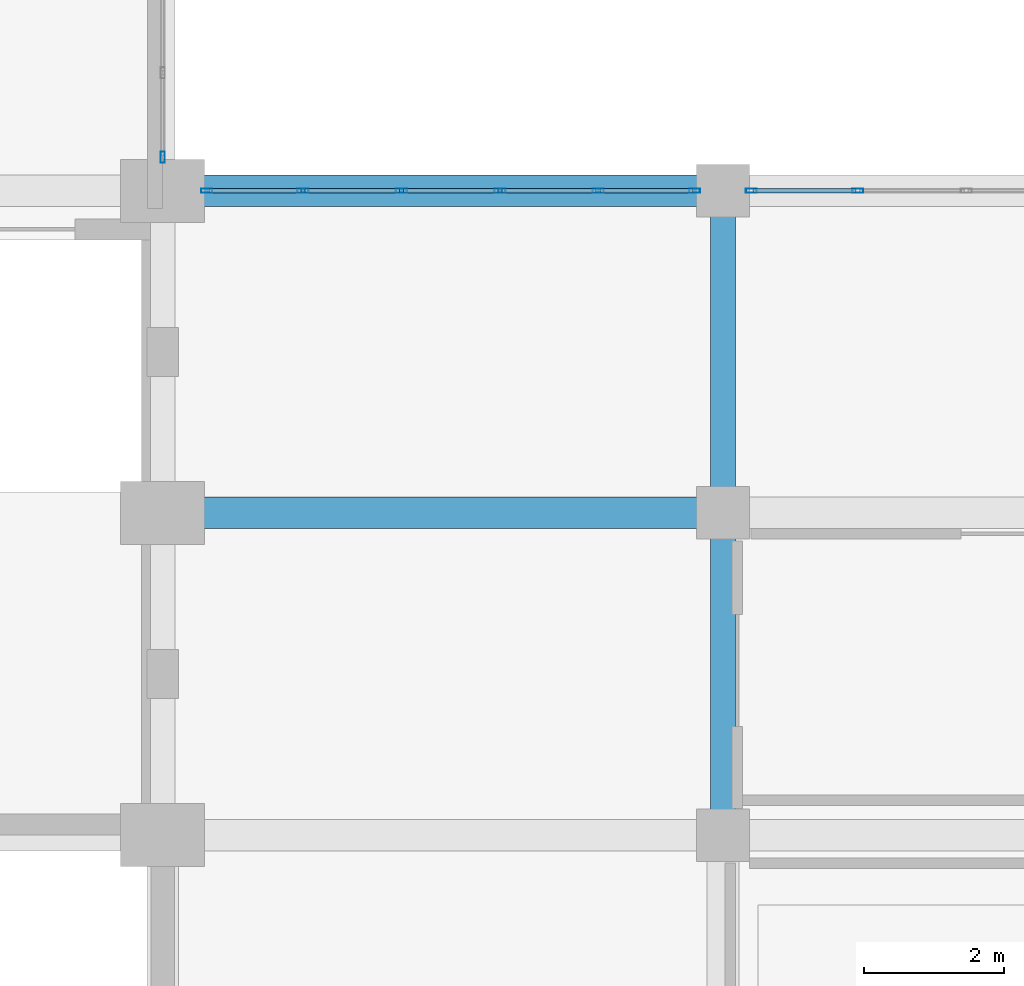
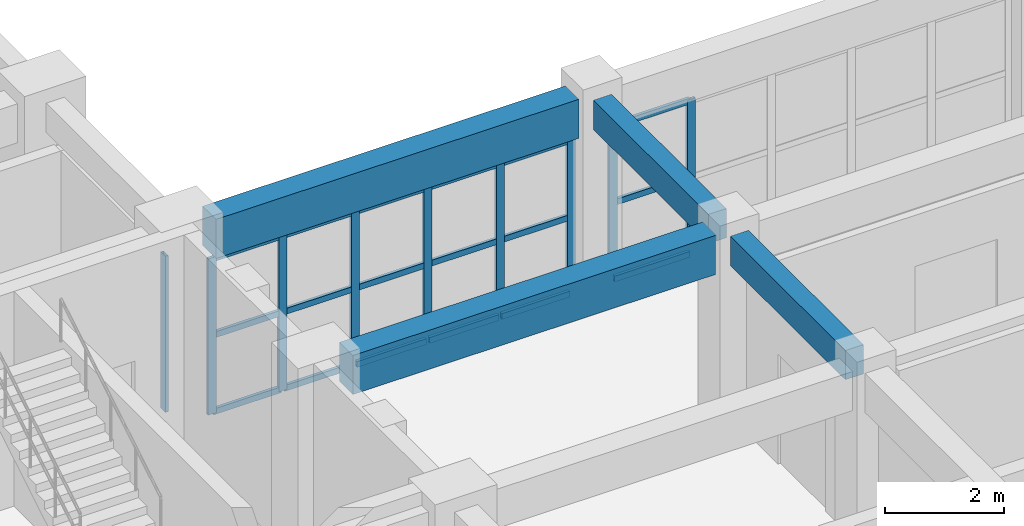
# One storey, part 50 of 116: 27 members, 4 beams, 3 elements without a shape of their own.
"""IFC4 building model written with IfcOpenShell, lengths in metres."""

import ifcopenshell
import ifcopenshell.guid

model = None  # the IFC model being written
_history = None  # IfcOwnerHistory: only IFC2X3 demands one
_inside = {}  # id of a spatial element -> (the spatial element, [elements in it])
_under = {}  # id of a project, library or spatial element -> (it, [spatial elements below it])
_declared = {}  # id of a project -> (the project, [libraries it declares])
_typed = {}  # id of a type object -> (the type object, [elements of that type])
_made_of = {}  # id of a material, layer set ... -> (it, [elements and type objects made of it])


def new_model(schema):
    """Start an empty IFC model of exactly this schema.

    Asked for "IFC4X3", IfcOpenShell would pick the latest addendum, in which some entities
    have other attributes; the version numbers below select the first issue.
    IFC2X3 requires an IfcOwnerHistory on every rooted entity: one is made here for all.
    """
    global model, _history
    if schema == "IFC4X3":
        model = ifcopenshell.file(schema_version=(4, 3, 0, 0))
    else:
        model = ifcopenshell.file(schema=schema)
    _inside.clear()
    _under.clear()
    _declared.clear()
    _typed.clear()
    _made_of.clear()
    _history = None
    if model.schema == "IFC2X3":
        org = make("IfcOrganization", Name="unknown")
        user = make(
            "IfcPersonAndOrganization",
            ThePerson=make("IfcPerson", FamilyName="unknown"),
            TheOrganization=org,
        )
        app = make(
            "IfcApplication",
            ApplicationDeveloper=org,
            Version="unknown",
            ApplicationFullName="unknown",
            ApplicationIdentifier="unknown",
        )
        _history = make(
            "IfcOwnerHistory",
            OwningUser=user,
            OwningApplication=app,
            ChangeAction="ADDED",
            CreationDate=0,
        )
    return model


def make(cls, **values):
    """One entity of the class cls with the attributes given. An attribute that is None is left unset."""
    return model.create_entity(
        cls, **{name: value for name, value in values.items() if value is not None}
    )


def rooted(cls, **values):
    """An entity with a GlobalId (a new one), such as an element, a storey or a relation."""
    return make(cls, GlobalId=ifcopenshell.guid.new(), OwnerHistory=_history, **values)


def si_unit(unit_type, name, prefix=None):
    """IfcSIUnit, for example si_unit("LENGTHUNIT", "METRE", prefix="MILLI")."""
    return make("IfcSIUnit", UnitType=unit_type, Prefix=prefix, Name=name)


def assignment(units):
    """IfcUnitAssignment: the units of a project."""
    return None if units is None else make("IfcUnitAssignment", Units=units)


def point(xyz):
    """IfcCartesianPoint."""
    return None if xyz is None else make("IfcCartesianPoint", Coordinates=xyz)


def direction(xyz):
    """IfcDirection."""
    return None if xyz is None else make("IfcDirection", DirectionRatios=xyz)


def frame(location, z_axis=None, x_axis=None):
    """IfcAxis2Placement3D, a coordinate frame: its origin and axes. An axis left out is left unset."""
    return make(
        "IfcAxis2Placement3D",
        Location=point(location),
        Axis=direction(z_axis),
        RefDirection=direction(x_axis),
    )


def frame_2d(location, x_axis=None):
    """IfcAxis2Placement2D, a coordinate frame in the plane: its origin and x axis."""
    return make(
        "IfcAxis2Placement2D", Location=point(location), RefDirection=direction(x_axis)
    )


def origin():
    """The frame at (0, 0, 0) with its axes left unset."""
    return frame((0.0, 0.0, 0.0))


def origin_2d():
    """The frame at (0, 0) in the plane with its x axis left unset."""
    return frame_2d((0.0, 0.0))


def place(relative_to, where):
    """IfcLocalPlacement: puts the frame where relative to a parent placement (None: the world)."""
    return make(
        "IfcLocalPlacement", PlacementRelTo=relative_to, RelativePlacement=where
    )


def context(
    kind, dimensions, precision=None, world=None, true_north=None, identifier=None
):
    """IfcGeometricRepresentationContext, for example the 3D "Model" context."""
    return make(
        "IfcGeometricRepresentationContext",
        ContextIdentifier=identifier,
        ContextType=kind,
        CoordinateSpaceDimension=dimensions,
        Precision=precision,
        WorldCoordinateSystem=world,
        TrueNorth=true_north,
    )


def subcontext(parent, identifier, kind, view, scale=None):
    """IfcGeometricRepresentationSubContext, for example "Body" below "Model"."""
    return make(
        "IfcGeometricRepresentationSubContext",
        ContextIdentifier=identifier,
        ContextType=kind,
        ParentContext=parent,
        TargetScale=scale,
        TargetView=view,
    )


def project(units=None, contexts=None):
    """IfcProject with its units and contexts."""
    return rooted(
        "IfcProject",
        Name="project",
        RepresentationContexts=contexts,
        UnitsInContext=assignment(units),
    )


def spatial(cls, under=None, at=None, **own):
    """A site, building, storey or space (cls), placed at a placement, below another one or the project."""
    s = rooted(cls, ObjectPlacement=at, **own)
    if under is not None:
        _under.setdefault(under.id(), (under, []))[1].append(s)
    return s


def profile(cls, at=None, kind="AREA", **sizes):
    """A parametric profile (cls). Its sizes go by their IFC names, for example OverallWidth=200.0."""
    return make(cls, ProfileType=kind, Position=at, **sizes)


def rectangle(**sizes):
    """IfcRectangleProfileDef."""
    return profile("IfcRectangleProfileDef", **sizes)


def hollow_rectangle(**sizes):
    """IfcRectangleHollowProfileDef."""
    return profile("IfcRectangleHollowProfileDef", **sizes)


def extrude(swept, where, along, depth):
    """IfcExtrudedAreaSolid: the profile swept, set in the frame where, extruded along a direction by depth."""
    return make(
        "IfcExtrudedAreaSolid",
        SweptArea=swept,
        Position=where,
        ExtrudedDirection=direction(along),
        Depth=depth,
    )


def shape(context_of_items, identifier, shape_type, items):
    """IfcShapeRepresentation: the items that make up one representation, for example the "Body"."""
    return make(
        "IfcShapeRepresentation",
        ContextOfItems=context_of_items,
        RepresentationIdentifier=identifier,
        RepresentationType=shape_type,
        Items=items,
    )


def material(Name=None, Category=None):
    """IfcMaterial."""
    return make("IfcMaterial", Name=Name, Category=Category)


def layer(
    of_material, thickness, ventilated=None, Name=None, Category=None, Priority=None
):
    """IfcMaterialLayer: one layer of a wall or slab, of a material (None: an air gap)."""
    return make(
        "IfcMaterialLayer",
        Material=of_material,
        LayerThickness=thickness,
        IsVentilated=ventilated,
        Name=Name,
        Category=Category,
        Priority=Priority,
    )


def layer_set(layers, Name=None):
    """IfcMaterialLayerSet."""
    return make("IfcMaterialLayerSet", MaterialLayers=layers, LayerSetName=Name)


def material_profile(
    of_material, cross_section, Name=None, Category=None, Priority=None
):
    """IfcMaterialProfile: a cross section and its material."""
    return make(
        "IfcMaterialProfile",
        Name=Name,
        Material=of_material,
        Profile=cross_section,
        Priority=Priority,
        Category=Category,
    )


def profile_set(profiles, Name=None, composite=None):
    """IfcMaterialProfileSet."""
    return make(
        "IfcMaterialProfileSet",
        Name=Name,
        MaterialProfiles=profiles,
        CompositeProfile=composite,
    )


def made_of(thing, what):
    """Note that an element or type object is made of a material, layer set ...; save() writes the relation."""
    if what is not None:
        _made_of.setdefault(what.id(), (what, []))[1].append(thing)
    return thing


def type_object(cls, material=None, **own):
    """A type object (cls), such as IfcWallType, which elements share."""
    return made_of(rooted(cls, **own), material)


def element(
    cls,
    number,
    at=None,
    inside=None,
    cuts=None,
    type_object=None,
    material=None,
    context=None,
    identifier="Body",
    shape_type=None,
    held_by="IfcProductDefinitionShape",
    body=None,
    shapes=None,
    **own,
):
    """One element of the class cls, such as IfcWall. Its Tag is "e" and its number.

    at: its placement. inside: the storey or other place that contains it. cuts: it is an
    opening in that element (IfcRelVoidsElement). A single representation is given by context,
    identifier, shape_type and body (its items); several are given by shapes. held_by: the class
    of the entity that holds the representations. save() writes the other relations.
    """
    e = rooted(cls, Tag="e%d" % number, ObjectPlacement=at, **own)
    if body is not None:
        shapes = [shape(context, identifier, shape_type, body)]
    if shapes is not None:
        e.Representation = make(held_by, Representations=shapes)
    if inside is not None:
        _inside.setdefault(inside.id(), (inside, []))[1].append(e)
    if cuts is not None:
        rooted(
            "IfcRelVoidsElement", RelatingBuildingElement=cuts, RelatedOpeningElement=e
        )
    if type_object is not None:
        _typed.setdefault(type_object.id(), (type_object, []))[1].append(e)
    return made_of(e, material)


def aggregate(whole, parts):
    """IfcRelAggregates: a whole, such as a stair, and the parts it consists of."""
    return rooted("IfcRelAggregates", RelatingObject=whole, RelatedObjects=parts)


def save(model, path):
    """Write the relations noted so far, then the file.

    IfcRelAggregates (storeys below a building ...), IfcRelContainedInSpatialStructure (elements
    in a storey), IfcRelDefinesByType, IfcRelAssociatesMaterial and IfcRelDeclares: one each for
    every whole, place, type object, material and project.
    """
    for whole, parts in _under.values():
        aggregate(whole, parts)
    for where, things in _inside.values():
        rooted(
            "IfcRelContainedInSpatialStructure",
            RelatedElements=things,
            RelatingStructure=where,
        )
    for kind, things in _typed.values():
        rooted("IfcRelDefinesByType", RelatedObjects=things, RelatingType=kind)
    for what, things in _made_of.values():
        rooted("IfcRelAssociatesMaterial", RelatedObjects=things, RelatingMaterial=what)
    for by, libraries in _declared.values():
        rooted("IfcRelDeclares", RelatingContext=by, RelatedDefinitions=libraries)
    model.write(path)


model = new_model("IFC4")

# Units and contexts
model_context = context("Model", 3, precision=1e-05, world=origin(), true_north=direction((0.0, 1.0)))
body_context = subcontext(model_context, "Body", "Model", "MODEL_VIEW")
ifc_project = project(units=[si_unit("LENGTHUNIT", "METRE"), si_unit("AREAUNIT", "SQUARE_METRE"), si_unit("VOLUMEUNIT", "CUBIC_METRE"), si_unit("PLANEANGLEUNIT", "RADIAN"), si_unit("MASSUNIT", "GRAM", prefix="KILO")], contexts=[model_context])

# Site, building, storey
site_placement = place(None, origin())
site = spatial("IfcSite", under=ifc_project, at=site_placement, CompositionType="ELEMENT")
building_placement = place(site_placement, origin())
building = spatial("IfcBuilding", under=site, at=building_placement, Name="Muzn Square Opera House", CompositionType="ELEMENT")
storey_placement = place(building_placement, frame((0.0, 0.0, 5.39990234375)))
storey = spatial("IfcBuildingStorey", under=building, at=storey_placement, Name="L01", CompositionType="ELEMENT", Elevation=5.39990234375)

# Curtain wall, member
ifc_material_1 = material(Name="Low-E laminated acoustic double glazing", Category="glass")
ifc_layer_1 = layer(ifc_material_1, 0.159912109375, Name="Low-E laminated acoustic double glazing", Category="glass")
ifc_layer_set_1 = layer_set([ifc_layer_1], Name="Low-E laminated acoustic double glazing")
curtain_wall_type_1 = type_object("IfcCurtainWallType", Name="Glazed Curtain Wall EastVaultCourt 3700x3200", PredefinedType="USERDEFINED", material=ifc_layer_set_1)
curtain_wall_1_placement = place(storey_placement, origin())
curtain_wall_1 = element("IfcCurtainWall", 1, at=curtain_wall_1_placement, inside=storey, type_object=curtain_wall_type_1, Name="Glazed Curtain Wall CW-L01-040", ObjectType="GLAZED CURTAIN WALL", PredefinedType="USERDEFINED")
ifc_material_2 = material(Name="Anodised bronze aluminium 6063-T6", Category="metal")
ifc_material_profile_1 = material_profile(ifc_material_2, hollow_rectangle(XDim=0.06005859375, YDim=0.159912109375, WallThickness=0.00390625, at=origin_2d()), Name="ALU 160x60x4", Category="metal")
ifc_profile_set_1 = profile_set([ifc_material_profile_1], Name="Anodised bronze aluminium 6063-T6")
member_type_1 = type_object("IfcMemberType", Name="Curtain Wall Mullion 160x60", PredefinedType="MULLION", material=ifc_profile_set_1)
member_1_placement = place(storey_placement, frame((133.0, 31.679931640625, 0.0), z_axis=(0.0, 0.0, 1.0), x_axis=(-1.0, 0.0, 0.0)))
member_1 = element("IfcMember", 2, at=member_1_placement, type_object=member_type_1, Name="CW-EVC-37x32 mullion 1", PredefinedType="MULLION", context=body_context, shape_type="SweptSolid", body=[
    extrude(hollow_rectangle(XDim=0.06005859375, YDim=0.159912109375, WallThickness=0.00390625, at=origin_2d()), origin(), (0.0, 0.0, 1.0), 3.2001953125),
])
aggregate(curtain_wall_1, [member_1])

# Curtain wall, members
ifc_layer_2 = layer(ifc_material_1, 0.159912109375, Name="Low-E laminated acoustic double glazing", Category="glass")
ifc_layer_set_2 = layer_set([ifc_layer_2], Name="Low-E laminated acoustic double glazing")
curtain_wall_type_2 = type_object("IfcCurtainWallType", Name="Glazed Curtain Wall EastCloisterS 7025x3200", PredefinedType="USERDEFINED", material=ifc_layer_set_2)
curtain_wall_2_placement = place(storey_placement, origin())
curtain_wall_2 = element("IfcCurtainWall", 3, at=curtain_wall_2_placement, inside=storey, type_object=curtain_wall_type_2, Name="Glazed Curtain Wall CW-L01-087", ObjectType="GLAZED CURTAIN WALL", PredefinedType="USERDEFINED")
member_2_placement = place(storey_placement, frame((133.6298828125, 31.199951171875, 0.0), z_axis=(0.0, 0.0, 1.0), x_axis=(0.0, 1.0, 0.0)))
member_2 = element("IfcMember", 4, at=member_2_placement, type_object=member_type_1, Name="CW-ECS-70x32 mullion 1", PredefinedType="MULLION", context=body_context, shape_type="SweptSolid", body=[
    extrude(hollow_rectangle(XDim=0.06005859375, YDim=0.159912109375, WallThickness=0.00390625, at=origin_2d()), origin(), (0.0, 0.0, 1.0), 3.2001953125),
])
member_3_placement = place(storey_placement, frame((135.0048828125, 31.199951171875, 0.0), z_axis=(0.0, 0.0, 1.0), x_axis=(0.0, 1.0, 0.0)))
member_3 = element("IfcMember", 5, at=member_3_placement, type_object=member_type_1, Name="CW-ECS-70x32 mullion 2", PredefinedType="MULLION", context=body_context, shape_type="SweptSolid", body=[
    extrude(hollow_rectangle(XDim=0.06005859375, YDim=0.159912109375, WallThickness=0.00390625, at=origin_2d()), origin(), (0.0, 0.0, 1.0), 3.2001953125),
])
member_4_placement = place(storey_placement, frame((136.409912109375, 31.199951171875, 0.0), z_axis=(0.0, 0.0, 1.0), x_axis=(0.0, 1.0, 0.0)))
member_4 = element("IfcMember", 6, at=member_4_placement, type_object=member_type_1, Name="CW-ECS-70x32 mullion 3", PredefinedType="MULLION", context=body_context, shape_type="SweptSolid", body=[
    extrude(hollow_rectangle(XDim=0.06005859375, YDim=0.159912109375, WallThickness=0.00390625, at=origin_2d()), origin(), (0.0, 0.0, 1.0), 3.2001953125),
])
member_5_placement = place(storey_placement, frame((137.81494140625, 31.199951171875, 0.0), z_axis=(0.0, 0.0, 1.0), x_axis=(0.0, 1.0, 0.0)))
member_5 = element("IfcMember", 7, at=member_5_placement, type_object=member_type_1, Name="CW-ECS-70x32 mullion 4", PredefinedType="MULLION", context=body_context, shape_type="SweptSolid", body=[
    extrude(hollow_rectangle(XDim=0.06005859375, YDim=0.159912109375, WallThickness=0.00390625, at=origin_2d()), origin(), (0.0, 0.0, 1.0), 3.2001953125),
])
member_6_placement = place(storey_placement, frame((139.219970703125, 31.199951171875, 0.0), z_axis=(0.0, 0.0, 1.0), x_axis=(0.0, 1.0, 0.0)))
member_6 = element("IfcMember", 8, at=member_6_placement, type_object=member_type_1, Name="CW-ECS-70x32 mullion 5", PredefinedType="MULLION", context=body_context, shape_type="SweptSolid", body=[
    extrude(hollow_rectangle(XDim=0.06005859375, YDim=0.159912109375, WallThickness=0.00390625, at=origin_2d()), origin(), (0.0, 0.0, 1.0), 3.2001953125),
])
member_7_placement = place(storey_placement, frame((140.594970703125, 31.199951171875, 0.0), z_axis=(0.0, 0.0, 1.0), x_axis=(0.0, 1.0, 0.0)))
member_7 = element("IfcMember", 9, at=member_7_placement, type_object=member_type_1, Name="CW-ECS-70x32 mullion 6", PredefinedType="MULLION", context=body_context, shape_type="SweptSolid", body=[
    extrude(hollow_rectangle(XDim=0.06005859375, YDim=0.159912109375, WallThickness=0.00390625, at=origin_2d()), origin(), (0.0, 0.0, 1.0), 3.2001953125),
])

ifc_layer_3 = layer(ifc_material_1, 0.159912109375, Name="Low-E laminated acoustic double glazing", Category="glass")
ifc_layer_set_3 = layer_set([ifc_layer_3], Name="Low-E laminated acoustic double glazing")
curtain_wall_type_3 = type_object("IfcCurtainWallType", Name="Glazed Curtain Wall EastCloisterS 7750x3200", PredefinedType="USERDEFINED", material=ifc_layer_set_3)
curtain_wall_3_placement = place(storey_placement, origin())
curtain_wall_3 = element("IfcCurtainWall", 10, at=curtain_wall_3_placement, inside=storey, type_object=curtain_wall_type_3, Name="Glazed Curtain Wall CW-L01-089", ObjectType="GLAZED CURTAIN WALL", PredefinedType="USERDEFINED")
member_8_placement = place(storey_placement, frame((141.405029296875, 31.199951171875, 0.0), z_axis=(0.0, 0.0, 1.0), x_axis=(0.0, 1.0, 0.0)))
member_8 = element("IfcMember", 11, at=member_8_placement, type_object=member_type_1, Name="CW-ECS-77x32 mullion 1", PredefinedType="MULLION", context=body_context, shape_type="SweptSolid", body=[
    extrude(hollow_rectangle(XDim=0.06005859375, YDim=0.159912109375, WallThickness=0.00390625, at=origin_2d()), origin(), (0.0, 0.0, 1.0), 3.2001953125),
])
member_9_placement = place(storey_placement, frame((142.925048828125, 31.199951171875, 0.0), z_axis=(0.0, 0.0, 1.0), x_axis=(0.0, 1.0, 0.0)))
member_9 = element("IfcMember", 12, at=member_9_placement, type_object=member_type_1, Name="CW-ECS-77x32 mullion 2", PredefinedType="MULLION", context=body_context, shape_type="SweptSolid", body=[
    extrude(hollow_rectangle(XDim=0.06005859375, YDim=0.159912109375, WallThickness=0.00390625, at=origin_2d()), origin(), (0.0, 0.0, 1.0), 3.2001953125),
])

# Member
ifc_material_profile_2 = material_profile(ifc_material_2, hollow_rectangle(XDim=0.06005859375, YDim=0.1201171875, WallThickness=0.00390625, at=origin_2d()), Name="ALU 120x60x4", Category="metal")
ifc_profile_set_2 = profile_set([ifc_material_profile_2], Name="Anodised bronze aluminium 6063-T6")
member_type_2 = type_object("IfcMemberType", Name="Curtain Wall Transom 120x60", PredefinedType="USERDEFINED", material=ifc_profile_set_2)
member_10_placement = place(storey_placement, frame((133.659912109375, 31.199951171875, 0.030029296875), z_axis=(1.0, 0.0, 0.0), x_axis=(0.0, 1.0, 0.0)))
member_10 = element("IfcMember", 13, at=member_10_placement, type_object=member_type_2, Name="CW-ECS-70x32 transom 1.1", ObjectType="TRANSOM", PredefinedType="USERDEFINED", context=body_context, shape_type="SweptSolid", body=[
    extrude(hollow_rectangle(XDim=0.06005859375, YDim=0.1201171875, WallThickness=0.00390625, at=origin_2d()), origin(), (0.0, 0.0, 1.0), 1.315185546875),
])

member_11_placement = place(storey_placement, frame((133.659912109375, 31.199951171875, 1.60009765625), z_axis=(1.0, 0.0, 0.0), x_axis=(0.0, 1.0, 0.0)))
member_11 = element("IfcMember", 14, at=member_11_placement, type_object=member_type_2, Name="CW-ECS-70x32 transom 1.2", ObjectType="TRANSOM", PredefinedType="USERDEFINED", context=body_context, shape_type="SweptSolid", body=[
    extrude(hollow_rectangle(XDim=0.06005859375, YDim=0.1201171875, WallThickness=0.00390625, at=origin_2d()), origin(), (0.0, 0.0, 1.0), 1.315185546875),
])

member_12_placement = place(storey_placement, frame((133.659912109375, 31.199951171875, 3.170166015625), z_axis=(1.0, 0.0, 0.0), x_axis=(0.0, 1.0, 0.0)))
member_12 = element("IfcMember", 15, at=member_12_placement, type_object=member_type_2, Name="CW-ECS-70x32 transom 1.3", ObjectType="TRANSOM", PredefinedType="USERDEFINED", context=body_context, shape_type="SweptSolid", body=[
    extrude(hollow_rectangle(XDim=0.06005859375, YDim=0.1201171875, WallThickness=0.00390625, at=origin_2d()), origin(), (0.0, 0.0, 1.0), 1.315185546875),
])

member_13_placement = place(storey_placement, frame((135.034912109375, 31.199951171875, 0.030029296875), z_axis=(1.0, 0.0, 0.0), x_axis=(0.0, 1.0, 0.0)))
member_13 = element("IfcMember", 16, at=member_13_placement, type_object=member_type_2, Name="CW-ECS-70x32 transom 2.1", ObjectType="TRANSOM", PredefinedType="USERDEFINED", context=body_context, shape_type="SweptSolid", body=[
    extrude(hollow_rectangle(XDim=0.06005859375, YDim=0.1201171875, WallThickness=0.00390625, at=origin_2d()), origin(), (0.0, 0.0, 1.0), 1.344970703125),
])

member_14_placement = place(storey_placement, frame((135.034912109375, 31.199951171875, 1.60009765625), z_axis=(1.0, 0.0, 0.0), x_axis=(0.0, 1.0, 0.0)))
member_14 = element("IfcMember", 17, at=member_14_placement, type_object=member_type_2, Name="CW-ECS-70x32 transom 2.2", ObjectType="TRANSOM", PredefinedType="USERDEFINED", context=body_context, shape_type="SweptSolid", body=[
    extrude(hollow_rectangle(XDim=0.06005859375, YDim=0.1201171875, WallThickness=0.00390625, at=origin_2d()), origin(), (0.0, 0.0, 1.0), 1.344970703125),
])

member_15_placement = place(storey_placement, frame((135.034912109375, 31.199951171875, 3.170166015625), z_axis=(1.0, 0.0, 0.0), x_axis=(0.0, 1.0, 0.0)))
member_15 = element("IfcMember", 18, at=member_15_placement, type_object=member_type_2, Name="CW-ECS-70x32 transom 2.3", ObjectType="TRANSOM", PredefinedType="USERDEFINED", context=body_context, shape_type="SweptSolid", body=[
    extrude(hollow_rectangle(XDim=0.06005859375, YDim=0.1201171875, WallThickness=0.00390625, at=origin_2d()), origin(), (0.0, 0.0, 1.0), 1.344970703125),
])

member_16_placement = place(storey_placement, frame((136.43994140625, 31.199951171875, 0.030029296875), z_axis=(1.0, 0.0, 0.0), x_axis=(0.0, 1.0, 0.0)))
member_16 = element("IfcMember", 19, at=member_16_placement, type_object=member_type_2, Name="CW-ECS-70x32 transom 3.1", ObjectType="TRANSOM", PredefinedType="USERDEFINED", context=body_context, shape_type="SweptSolid", body=[
    extrude(hollow_rectangle(XDim=0.06005859375, YDim=0.1201171875, WallThickness=0.00390625, at=origin_2d()), origin(), (0.0, 0.0, 1.0), 1.344970703125),
])

member_17_placement = place(storey_placement, frame((136.43994140625, 31.199951171875, 1.60009765625), z_axis=(1.0, 0.0, 0.0), x_axis=(0.0, 1.0, 0.0)))
member_17 = element("IfcMember", 20, at=member_17_placement, type_object=member_type_2, Name="CW-ECS-70x32 transom 3.2", ObjectType="TRANSOM", PredefinedType="USERDEFINED", context=body_context, shape_type="SweptSolid", body=[
    extrude(hollow_rectangle(XDim=0.06005859375, YDim=0.1201171875, WallThickness=0.00390625, at=origin_2d()), origin(), (0.0, 0.0, 1.0), 1.344970703125),
])

member_18_placement = place(storey_placement, frame((136.43994140625, 31.199951171875, 3.170166015625), z_axis=(1.0, 0.0, 0.0), x_axis=(0.0, 1.0, 0.0)))
member_18 = element("IfcMember", 21, at=member_18_placement, type_object=member_type_2, Name="CW-ECS-70x32 transom 3.3", ObjectType="TRANSOM", PredefinedType="USERDEFINED", context=body_context, shape_type="SweptSolid", body=[
    extrude(hollow_rectangle(XDim=0.06005859375, YDim=0.1201171875, WallThickness=0.00390625, at=origin_2d()), origin(), (0.0, 0.0, 1.0), 1.344970703125),
])

member_19_placement = place(storey_placement, frame((137.844970703125, 31.199951171875, 0.030029296875), z_axis=(1.0, 0.0, 0.0), x_axis=(0.0, 1.0, 0.0)))
member_19 = element("IfcMember", 22, at=member_19_placement, type_object=member_type_2, Name="CW-ECS-70x32 transom 4.1", ObjectType="TRANSOM", PredefinedType="USERDEFINED", context=body_context, shape_type="SweptSolid", body=[
    extrude(hollow_rectangle(XDim=0.06005859375, YDim=0.1201171875, WallThickness=0.00390625, at=origin_2d()), origin(), (0.0, 0.0, 1.0), 1.344970703125),
])

member_20_placement = place(storey_placement, frame((137.844970703125, 31.199951171875, 1.60009765625), z_axis=(1.0, 0.0, 0.0), x_axis=(0.0, 1.0, 0.0)))
member_20 = element("IfcMember", 23, at=member_20_placement, type_object=member_type_2, Name="CW-ECS-70x32 transom 4.2", ObjectType="TRANSOM", PredefinedType="USERDEFINED", context=body_context, shape_type="SweptSolid", body=[
    extrude(hollow_rectangle(XDim=0.06005859375, YDim=0.1201171875, WallThickness=0.00390625, at=origin_2d()), origin(), (0.0, 0.0, 1.0), 1.344970703125),
])

member_21_placement = place(storey_placement, frame((137.844970703125, 31.199951171875, 3.170166015625), z_axis=(1.0, 0.0, 0.0), x_axis=(0.0, 1.0, 0.0)))
member_21 = element("IfcMember", 24, at=member_21_placement, type_object=member_type_2, Name="CW-ECS-70x32 transom 4.3", ObjectType="TRANSOM", PredefinedType="USERDEFINED", context=body_context, shape_type="SweptSolid", body=[
    extrude(hollow_rectangle(XDim=0.06005859375, YDim=0.1201171875, WallThickness=0.00390625, at=origin_2d()), origin(), (0.0, 0.0, 1.0), 1.344970703125),
])

member_22_placement = place(storey_placement, frame((139.25, 31.199951171875, 0.030029296875), z_axis=(1.0, 0.0, 0.0), x_axis=(0.0, 1.0, 0.0)))
member_22 = element("IfcMember", 25, at=member_22_placement, type_object=member_type_2, Name="CW-ECS-70x32 transom 5.1", ObjectType="TRANSOM", PredefinedType="USERDEFINED", context=body_context, shape_type="SweptSolid", body=[
    extrude(hollow_rectangle(XDim=0.06005859375, YDim=0.1201171875, WallThickness=0.00390625, at=origin_2d()), origin(), (0.0, 0.0, 1.0), 1.31494140625),
])

member_23_placement = place(storey_placement, frame((139.25, 31.199951171875, 1.60009765625), z_axis=(1.0, 0.0, 0.0), x_axis=(0.0, 1.0, 0.0)))
member_23 = element("IfcMember", 26, at=member_23_placement, type_object=member_type_2, Name="CW-ECS-70x32 transom 5.2", ObjectType="TRANSOM", PredefinedType="USERDEFINED", context=body_context, shape_type="SweptSolid", body=[
    extrude(hollow_rectangle(XDim=0.06005859375, YDim=0.1201171875, WallThickness=0.00390625, at=origin_2d()), origin(), (0.0, 0.0, 1.0), 1.31494140625),
])

member_24_placement = place(storey_placement, frame((139.25, 31.199951171875, 3.170166015625), z_axis=(1.0, 0.0, 0.0), x_axis=(0.0, 1.0, 0.0)))
member_24 = element("IfcMember", 27, at=member_24_placement, type_object=member_type_2, Name="CW-ECS-70x32 transom 5.3", ObjectType="TRANSOM", PredefinedType="USERDEFINED", context=body_context, shape_type="SweptSolid", body=[
    extrude(hollow_rectangle(XDim=0.06005859375, YDim=0.1201171875, WallThickness=0.00390625, at=origin_2d()), origin(), (0.0, 0.0, 1.0), 1.31494140625),
])

aggregate(curtain_wall_2, [member_2, member_3, member_4, member_5, member_6, member_7, member_10, member_11, member_12, member_13, member_14, member_15, member_16, member_17, member_18, member_19, member_20, member_21, member_22, member_23, member_24])

member_25_placement = place(storey_placement, frame((141.43505859375, 31.199951171875, 0.030029296875), z_axis=(1.0, 0.0, 0.0), x_axis=(0.0, 1.0, 0.0)))
member_25 = element("IfcMember", 28, at=member_25_placement, type_object=member_type_2, Name="CW-ECS-77x32 transom 1.1", ObjectType="TRANSOM", PredefinedType="USERDEFINED", context=body_context, shape_type="SweptSolid", body=[
    extrude(hollow_rectangle(XDim=0.06005859375, YDim=0.1201171875, WallThickness=0.00390625, at=origin_2d()), origin(), (0.0, 0.0, 1.0), 1.4599609375),
])

member_26_placement = place(storey_placement, frame((141.43505859375, 31.199951171875, 1.60009765625), z_axis=(1.0, 0.0, 0.0), x_axis=(0.0, 1.0, 0.0)))
member_26 = element("IfcMember", 29, at=member_26_placement, type_object=member_type_2, Name="CW-ECS-77x32 transom 1.2", ObjectType="TRANSOM", PredefinedType="USERDEFINED", context=body_context, shape_type="SweptSolid", body=[
    extrude(hollow_rectangle(XDim=0.06005859375, YDim=0.1201171875, WallThickness=0.00390625, at=origin_2d()), origin(), (0.0, 0.0, 1.0), 1.4599609375),
])

member_27_placement = place(storey_placement, frame((141.43505859375, 31.199951171875, 3.170166015625), z_axis=(1.0, 0.0, 0.0), x_axis=(0.0, 1.0, 0.0)))
member_27 = element("IfcMember", 30, at=member_27_placement, type_object=member_type_2, Name="CW-ECS-77x32 transom 1.3", ObjectType="TRANSOM", PredefinedType="USERDEFINED", context=body_context, shape_type="SweptSolid", body=[
    extrude(hollow_rectangle(XDim=0.06005859375, YDim=0.1201171875, WallThickness=0.00390625, at=origin_2d()), origin(), (0.0, 0.0, 1.0), 1.4599609375),
])

aggregate(curtain_wall_3, [member_8, member_9, member_25, member_26, member_27])

# Beams
ifc_material_3 = material(Name="Concrete C40/50", Category="concrete")
ifc_material_profile_3 = material_profile(ifc_material_3, rectangle(XDim=0.35009765625, YDim=0.60009765625, at=origin_2d()), Name="RCB 350x600", Category="concrete")
ifc_profile_set_3 = profile_set([ifc_material_profile_3], Name="Concrete C40/50")
beam_type_1 = type_object("IfcBeamType", Name="Primary Girder 350x600", PredefinedType="BEAM", material=ifc_profile_set_3)
for number, where, z_axis, x_axis, name in (
    (31, (141.0, 22.366943359375, 3.820068359375), (0.0, 1.0, 0.0), (-1.0, 0.0, 0.0), "Primary Girder BM-L01-BM-PG600-1410_224_1410_262-1718"),
    (32, (141.0, 26.967041015625, 3.820068359375), (0.0, 1.0, 0.0), (-1.0, 0.0, 0.0), "Primary Girder BM-L01-BM-PG600-1410_270_1410_308-1719"),
):
    element("IfcBeam", number, at=place(storey_placement, frame(where, z_axis=z_axis, x_axis=x_axis)), inside=storey, type_object=beam_type_1, Name=name, PredefinedType="BEAM", context=body_context, shape_type="SweptSolid", body=[
        extrude(rectangle(XDim=0.35009765625, YDim=0.60009765625, at=origin_2d()), origin(), (0.0, 0.0, 1.0), 3.865966796875),
    ])
ifc_material_profile_4 = material_profile(ifc_material_3, rectangle(XDim=0.449951171875, YDim=0.800048828125, at=origin_2d()), Name="RCB 450x800", Category="concrete")
ifc_profile_set_4 = profile_set([ifc_material_profile_4], Name="Concrete C40/50")
beam_type_2 = type_object("IfcBeamType", Name="Primary Girder 450x800", PredefinedType="BEAM", material=ifc_profile_set_4)
for number, where, z_axis, x_axis, name in (
    (33, (133.592041015625, 26.60009765625, 3.72021484375), (1.0, 0.0, 0.0), (0.0, 1.0, 0.0), "Primary Girder BM-L01-BM-PG800-1336_266_1406_266-1306"),
    (34, (133.592041015625, 31.199951171875, 3.72021484375), (1.0, 0.0, 0.0), (0.0, 1.0, 0.0), "Primary Girder BM-L01-BM-PG800-1336_312_1406_312-1327"),
):
    element("IfcBeam", number, at=place(storey_placement, frame(where, z_axis=z_axis, x_axis=x_axis)), inside=storey, type_object=beam_type_2, Name=name, PredefinedType="BEAM", context=body_context, shape_type="SweptSolid", body=[
        extrude(rectangle(XDim=0.449951171875, YDim=0.800048828125, at=origin_2d()), origin(), (0.0, 0.0, 1.0), 7.041015625),
    ])

save(model, "model.ifc")
